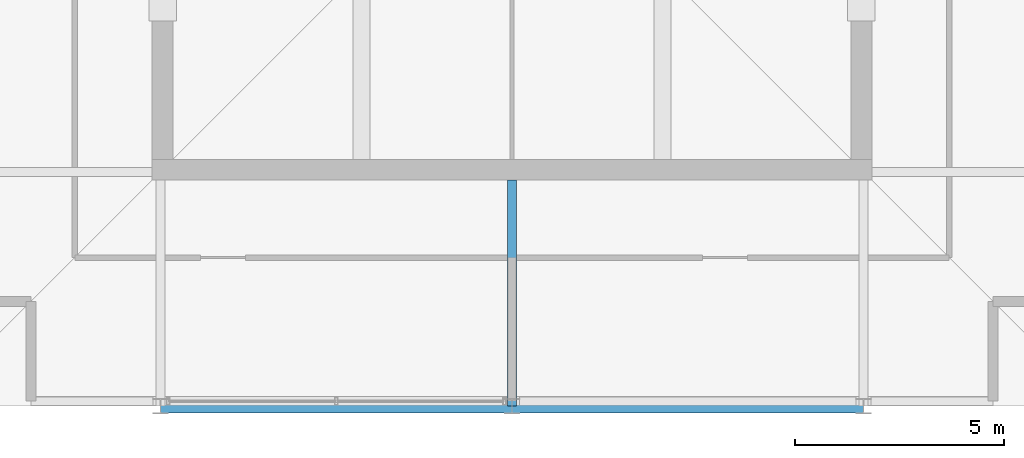
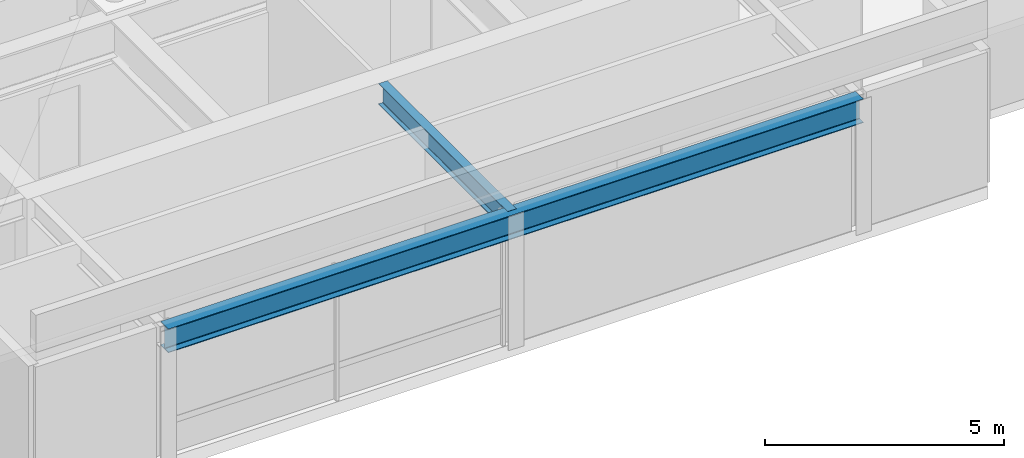
# One storey, part 3 of 13: 2 beams.
"""IFC4 building model written with IfcOpenShell, lengths in metres."""

from ifc_helpers import new_model, si_unit, direction, frame, origin, origin_2d, place, context, subcontext, project, spatial, i_section, extrude, material, material_profile, profile_set, type_object, element, save


model = new_model("IFC4")

# Units and contexts
model_context = context("Model", 3, precision=1e-05, world=origin(), true_north=direction((0.0, 1.0)))
body_context = subcontext(model_context, "Body", "Model", "MODEL_VIEW")
ifc_project = project(units=[si_unit("LENGTHUNIT", "METRE"), si_unit("AREAUNIT", "SQUARE_METRE"), si_unit("VOLUMEUNIT", "CUBIC_METRE"), si_unit("PLANEANGLEUNIT", "RADIAN"), si_unit("MASSUNIT", "GRAM", prefix="KILO")], contexts=[model_context])

# Site, building, storey
site_placement = place(None, origin())
site = spatial("IfcSite", under=ifc_project, at=site_placement, CompositionType="ELEMENT")
building_placement = place(site_placement, origin())
building = spatial("IfcBuilding", under=site, at=building_placement, Name="Drelvath Grand Hotel", CompositionType="ELEMENT")
storey_placement = place(building_placement, frame((0.0, 0.0, 323.199951171875)))
storey = spatial("IfcBuildingStorey", under=building, at=storey_placement, Name="L84", CompositionType="ELEMENT", Elevation=323.199951171875)

# Beams
ifc_material = material(Name="Steel ASTM A992 Gr 50", Category="steel")
ifc_material_profile_1 = material_profile(ifc_material, i_section(OverallWidth=0.210205078125, OverallDepth=0.53662109375, WebThickness=0.010986328125, FlangeThickness=0.017333984375, FilletRadius=0.01806640625, at=origin_2d()), Name="W21X68")
ifc_profile_set_1 = profile_set([ifc_material_profile_1], Name="Steel ASTM A992 Gr 50")
beam_type_1 = type_object("IfcBeamType", Name="Primary Floor Girder W21X68", PredefinedType="BEAM", material=ifc_profile_set_1)
beam_1_placement = place(storey_placement, frame((0.0, 13.0, 3.15185546875), z_axis=(0.0, 1.0, 0.0), x_axis=(-1.0, 0.0, 0.0)))
element("IfcBeam", 1, at=beam_1_placement, inside=storey, type_object=beam_type_1, Name="L84 Crown Drum Tie South 5", PredefinedType="BEAM", context=body_context, shape_type="SweptSolid", body=[
    extrude(i_section(OverallWidth=0.210205078125, OverallDepth=0.53662109375, WebThickness=0.010986328125, FlangeThickness=0.017333984375, FilletRadius=0.01806640625, at=origin_2d()), origin(), (0.0, 0.0, 1.0), 5.39990234375),
])
ifc_material_profile_2 = material_profile(ifc_material, i_section(OverallWidth=0.323974609375, OverallDepth=0.611083984375, WebThickness=0.0126953125, FlangeThickness=0.01904296875, FilletRadius=0.02197265625, at=origin_2d()), Name="W24X104")
ifc_profile_set_2 = profile_set([ifc_material_profile_2], Name="Steel ASTM A992 Gr 50")
beam_type_2 = type_object("IfcBeamType", Name="Primary Floor Girder W24X104", PredefinedType="BEAM", material=ifc_profile_set_2)
beam_2_placement = place(storey_placement, frame((-8.39990234375, 13.0, 3.114501953125), z_axis=(1.0, 0.0, 0.0), x_axis=(0.0, 1.0, 0.0)))
element("IfcBeam", 2, at=beam_2_placement, inside=storey, type_object=beam_type_2, Name="L84 Crown Drum Ring Beam South", PredefinedType="BEAM", context=body_context, shape_type="SweptSolid", body=[
    extrude(i_section(OverallWidth=0.323974609375, OverallDepth=0.611083984375, WebThickness=0.0126953125, FlangeThickness=0.01904296875, FilletRadius=0.02197265625, at=origin_2d()), origin(), (0.0, 0.0, 1.0), 16.7998046875),
])

save(model, "model.ifc")
